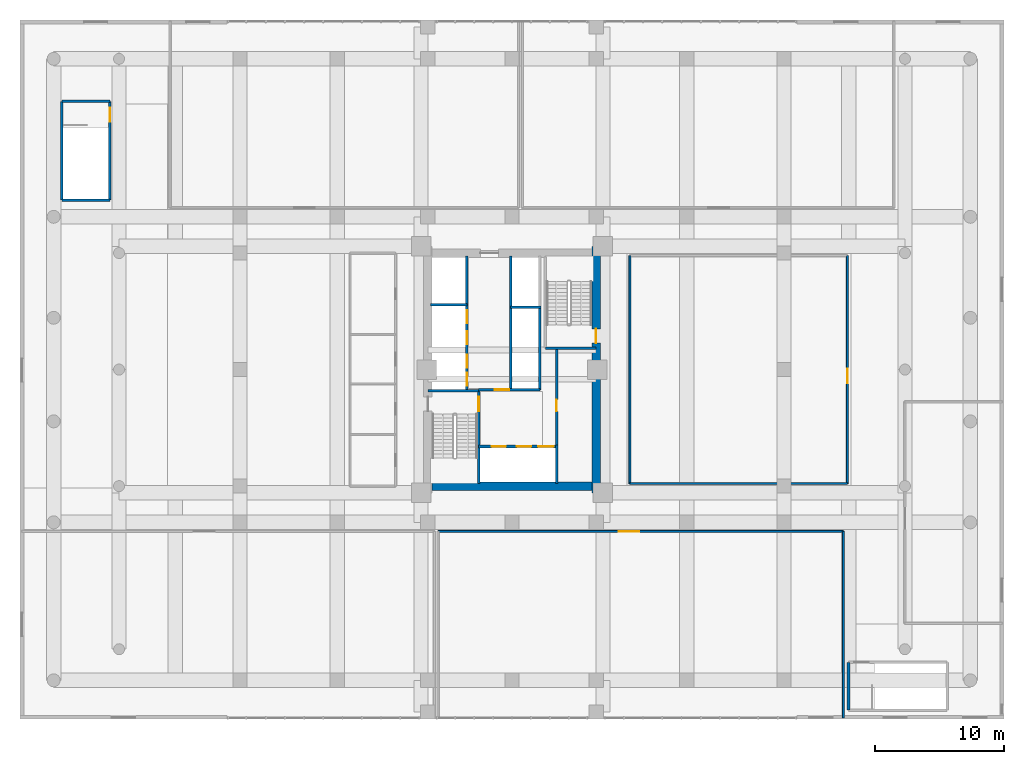
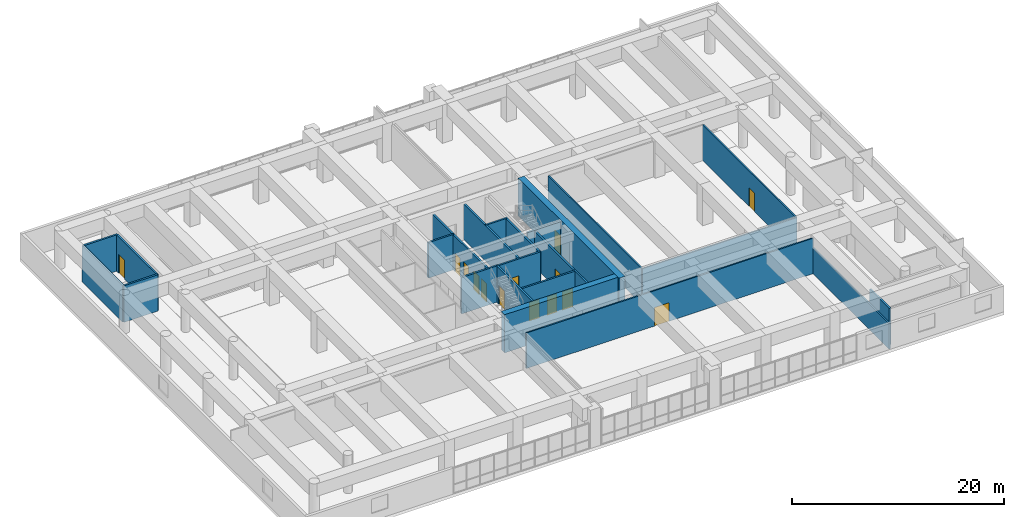
# One storey, part 19 of 28: 24 walls, 14 doors, 14 openings.
"""IFC4 building model written with IfcOpenShell, lengths in metres."""

from ifc_helpers import new_model, si_unit, direction, frame, frame_2d, origin, place, context, subcontext, project, spatial, rectangle, extrude, source, transform, mapped, material, layer, layer_set, type_object, element, fill, save


model = new_model("IFC4")

# Units and contexts
model_context = context("Model", 3, precision=1e-05, world=origin(), true_north=direction((0.0, 1.0)))
body_context = subcontext(model_context, "Body", "Model", "MODEL_VIEW")
ifc_project = project(units=[si_unit("LENGTHUNIT", "METRE"), si_unit("AREAUNIT", "SQUARE_METRE"), si_unit("VOLUMEUNIT", "CUBIC_METRE"), si_unit("PLANEANGLEUNIT", "RADIAN"), si_unit("MASSUNIT", "GRAM", prefix="KILO")], contexts=[model_context])

# Site, building, storey
site_placement = place(None, origin())
site = spatial("IfcSite", under=ifc_project, at=site_placement, CompositionType="ELEMENT")
building_placement = place(site_placement, origin())
building = spatial("IfcBuilding", under=site, at=building_placement, Name="Saelheon Loggia Tower", CompositionType="ELEMENT")
storey_placement = place(building_placement, frame((0.0, 0.0, 15.0)))
storey = spatial("IfcBuildingStorey", under=building, at=storey_placement, Name="L04", CompositionType="ELEMENT", Elevation=15.0)

# Wall, opening, door
ifc_material_1 = material(Name="Concrete C60/75", Category="concrete")
ifc_layer_1 = layer(ifc_material_1, 0.64990234375)
ifc_layer_set_1 = layer_set([ifc_layer_1], Name="Concrete C60/75")
wall_type_1 = type_object("IfcWallType", Name="Wall_CoreShear_650", PredefinedType="SHEAR", material=ifc_layer_set_1)
wall_1_placement = place(storey_placement, frame((44.5, 17.47998046875, 0.0), z_axis=(0.0, 0.0, 1.0), x_axis=(0.0, 1.0, 0.0)))
wall_1 = element("IfcWall", 1, at=wall_1_placement, inside=storey, type_object=wall_type_1, Name="L04 Core Shear Wall East", PredefinedType="SHEAR", context=body_context, shape_type="SweptSolid", body=[
    extrude(rectangle(XDim=19.0400390625, YDim=0.64990234375, at=frame_2d((9.52001953125, 0.0))), origin(), (0.0, 0.0, 1.0), 4.39990234375),
])
opening_1_placement = place(wall_1_placement, frame((12.670166015625, 0.0, 0.0), z_axis=(0.0, 0.0, 1.0), x_axis=(-1.0, 0.0, 0.0)))
opening_1 = element("IfcOpeningElement", 2, at=opening_1_placement, cuts=wall_1, Name="Opening D-FD2", PredefinedType="OPENING", context=body_context, shape_type="SweptSolid", body=[
    extrude(rectangle(XDim=1.10009765625, YDim=2.14990234375, at=frame_2d((0.550048828125, 1.074951171875))), frame((0.0, 0.3369140625, 0.0), z_axis=(0.0, -1.0, 0.0), x_axis=(1.0, 0.0, 0.0)), (0.0, 0.0, 1.0), 0.673828125),
])
ifc_material_2 = material(Name="Galvanised Steel Fire Door", Category="steel")
door_type_1 = type_object("IfcDoorType", Name="Door_Fire_FD60_1100", OperationType="NOTDEFINED", PredefinedType="DOOR", material=ifc_material_2)
shared_shape_1 = source(origin(), body_context, "Body", "SweptSolid", [
    extrude(rectangle(XDim=1.10009765625, YDim=2.14990234375, at=frame_2d((0.550048828125, 1.074951171875))), frame((0.0, 0.02490234375, 0.0), z_axis=(0.0, -1.0, 0.0), x_axis=(1.0, 0.0, 0.0)), (0.0, 0.0, 1.0), 0.050048828125),
])
door_1_placement = place(opening_1_placement, origin())
door_1 = element("IfcDoor", 3, at=door_1_placement, inside=storey, type_object=door_type_1, Name="L04 Stair ST2 Corridor Door", OperationType="SINGLE_SWING_RIGHT", OverallHeight=2.14990234375, OverallWidth=1.10009765625, PredefinedType="DOOR", context=body_context, shape_type="MappedRepresentation", body=[
    mapped(shared_shape_1, transform((0.0, 0.0, 0.0), scale=1.0)),
])
fill(opening_1, door_1)

# Wall
wall_2_placement = place(storey_placement, frame((31.824951171875, 18.0, 0.0), z_axis=(0.0, 0.0, 1.0), x_axis=(1.0, 0.0, 0.0)))
element("IfcWall", 4, at=wall_2_placement, inside=storey, type_object=wall_type_1, Name="L04 Core Shear Wall South", PredefinedType="SHEAR", context=body_context, shape_type="SweptSolid", body=[
    extrude(rectangle(XDim=12.35009765625, YDim=0.64990234375, at=frame_2d((6.175048828125, 0.0))), origin(), (0.0, 0.0, 1.0), 4.39990234375),
])

# Wall, opening, door
ifc_material_3 = material(Name="Lightweight Autoclaved Aerated Concrete Block and Acoustic Gypsum", Category="concrete")
ifc_layer_2 = layer(ifc_material_3, 0.14990234375)
ifc_layer_set_2 = layer_set([ifc_layer_2], Name="Lightweight Autoclaved Aerated Concrete Block and Acoustic Gypsum")
wall_type_2 = type_object("IfcWallType", Name="Wall_Part_150", PredefinedType="PARTITIONING", material=ifc_layer_set_2)
wall_3_placement = place(storey_placement, frame((32.300048828125, 14.5, 0.0), z_axis=(0.0, 0.0, 1.0), x_axis=(1.0, 0.0, 0.0)))
wall_3 = element("IfcWall", 5, at=wall_3_placement, inside=storey, type_object=wall_type_2, Name="PW-L04-SEM2-N", PredefinedType="PARTITIONING", context=body_context, shape_type="SweptSolid", body=[
    extrude(rectangle(XDim=31.300048828125, YDim=0.14990234375, at=frame_2d((15.64990234375, 0.0))), origin(), (0.0, 0.0, 1.0), 4.080078125),
])
opening_2_placement = place(wall_3_placement, frame((13.943603515625, 0.0, 0.0)))
opening_2 = element("IfcOpeningElement", 6, at=opening_2_placement, cuts=wall_3, Name="Opening D-DB1", PredefinedType="OPENING", context=body_context, shape_type="SweptSolid", body=[
    extrude(rectangle(XDim=1.60009765625, YDim=2.14990234375, at=frame_2d((0.800048828125, 1.074951171875))), frame((0.0, 0.0869140625, 0.0), z_axis=(0.0, -1.0, 0.0), x_axis=(1.0, 0.0, 0.0)), (0.0, 0.0, 1.0), 0.173828125),
])
ifc_material_4 = material(Name="Glazed Steel Seminar Double Door", Category="steel")
door_type_2 = type_object("IfcDoorType", Name="Door_Double_1600", OperationType="DOUBLE_SWING_LEFT", PredefinedType="DOOR", material=ifc_material_4)
shared_shape_2 = source(origin(), body_context, "Body", "SweptSolid", [
    extrude(rectangle(XDim=1.60009765625, YDim=2.14990234375, at=frame_2d((0.800048828125, 1.074951171875))), frame((0.0, 0.02490234375, 0.0), z_axis=(0.0, -1.0, 0.0), x_axis=(1.0, 0.0, 0.0)), (0.0, 0.0, 1.0), 0.050048828125),
])
door_2_placement = place(opening_2_placement, origin())
door_2 = element("IfcDoor", 7, at=door_2_placement, inside=storey, type_object=door_type_2, Name="L04 Community Health Seminar Hall B Door", OperationType="DOUBLE_SWING_LEFT", OverallHeight=2.14990234375, OverallWidth=1.60009765625, PredefinedType="DOOR", context=body_context, shape_type="MappedRepresentation", body=[
    mapped(shared_shape_2, transform((0.0, 0.0, 0.0), scale=1.0)),
])
fill(opening_2, door_2)

# Walls
wall_4_placement = place(storey_placement, frame((63.60009765625, 0.10009765625, 0.0), z_axis=(0.0, 0.0, 1.0), x_axis=(0.0, 1.0, 0.0)))
element("IfcWall", 8, at=wall_4_placement, inside=storey, type_object=wall_type_2, Name="PW-L04-SEM2-E", PredefinedType="PARTITIONING", context=body_context, shape_type="SweptSolid", body=[
    extrude(rectangle(XDim=14.39990234375, YDim=0.14990234375, at=frame_2d((7.199951171875, 0.0))), origin(), (0.0, 0.0, 1.0), 2.93994140625),
])
wall_5_placement = place(storey_placement, frame((47.10009765625, 18.199951171875, 0.0), z_axis=(0.0, 0.0, 1.0), x_axis=(1.0, 0.0, 0.0)))
element("IfcWall", 9, at=wall_5_placement, inside=storey, type_object=wall_type_2, Name="PW-L04-MECH4-S", PredefinedType="PARTITIONING", context=body_context, shape_type="SweptSolid", body=[
    extrude(rectangle(XDim=16.7998046875, YDim=0.14990234375, at=frame_2d((8.39990234375, 0.0))), origin(), (0.0, 0.0, 1.0), 4.080078125),
])
wall_6_placement = place(storey_placement, frame((47.10009765625, 18.199951171875, 0.0), z_axis=(0.0, 0.0, 1.0), x_axis=(0.0, 1.0, 0.0)))
element("IfcWall", 10, at=wall_6_placement, inside=storey, type_object=wall_type_2, Name="PW-L04-MECH4-W", PredefinedType="PARTITIONING", context=body_context, shape_type="SweptSolid", body=[
    extrude(rectangle(XDim=17.60009765625, YDim=0.14990234375, at=frame_2d((8.800048828125, 0.0))), origin(), (0.0, 0.0, 1.0), 4.080078125),
])

# Wall, opening, door
wall_7_placement = place(storey_placement, frame((63.89990234375, 18.199951171875, 0.0), z_axis=(0.0, 0.0, 1.0), x_axis=(0.0, 1.0, 0.0)))
wall_7 = element("IfcWall", 11, at=wall_7_placement, inside=storey, type_object=wall_type_2, Name="PW-L04-MECH4-E", PredefinedType="PARTITIONING", context=body_context, shape_type="SweptSolid", body=[
    extrude(rectangle(XDim=17.60009765625, YDim=0.14990234375, at=frame_2d((8.800048828125, 0.0))), origin(), (0.0, 0.0, 1.0), 4.080078125),
])
opening_3_placement = place(wall_7_placement, frame((7.756103515625, 0.0, 0.0)))
opening_3 = element("IfcOpeningElement", 12, at=opening_3_placement, cuts=wall_7, Name="Opening D-FD2", PredefinedType="OPENING", context=body_context, shape_type="SweptSolid", body=[
    extrude(rectangle(XDim=1.10009765625, YDim=2.14990234375, at=frame_2d((0.550048828125, 1.074951171875))), frame((0.0, 0.0869140625, 0.0), z_axis=(0.0, -1.0, 0.0), x_axis=(1.0, 0.0, 0.0)), (0.0, 0.0, 1.0), 0.173828125),
])
door_3_placement = place(opening_3_placement, origin())
door_3 = element("IfcDoor", 13, at=door_3_placement, inside=storey, type_object=door_type_1, Name="L04 Podium Transfer Level HVAC Plant Room Door", OperationType="SINGLE_SWING_LEFT", OverallHeight=2.14990234375, OverallWidth=1.10009765625, PredefinedType="DOOR", context=body_context, shape_type="MappedRepresentation", body=[
    mapped(shared_shape_1, transform((0.0, 0.0, 0.0), scale=1.0)),
])
fill(opening_3, door_3)

# Wall
ifc_material_5 = material(Name="Concrete C40/50", Category="concrete")
ifc_layer_3 = layer(ifc_material_5, 0.199951171875)
ifc_layer_set_3 = layer_set([ifc_layer_3], Name="Concrete C40/50")
wall_type_3 = type_object("IfcWallType", Name="Wall_Shaft_200", PredefinedType="PARTITIONING", material=ifc_layer_set_3)
wall_8_placement = place(storey_placement, frame((41.449951171875, 18.219970703125, 0.0), z_axis=(0.0, 0.0, 1.0), x_axis=(0.0, 1.0, 0.0)))
element("IfcWall", 14, at=wall_8_placement, inside=storey, type_object=wall_type_3, Name="CW-INT-L04-BOH-W0", PredefinedType="PARTITIONING", context=body_context, shape_type="SweptSolid", body=[
    extrude(rectangle(XDim=2.9599609375, YDim=0.199951171875, at=frame_2d((1.47998046875, 0.0))), origin(), (0.0, 0.0, 1.0), 4.080078125),
])

# Wall, opening, door
wall_9_placement = place(storey_placement, frame((41.449951171875, 21.179931640625, 0.0), z_axis=(0.0, 0.0, 1.0), x_axis=(0.0, 1.0, 0.0)))
wall_9 = element("IfcWall", 15, at=wall_9_placement, inside=storey, type_object=wall_type_3, Name="CW-INT-L04-BOH-W1", PredefinedType="PARTITIONING", context=body_context, shape_type="SweptSolid", body=[
    extrude(rectangle(XDim=7.420166015625, YDim=0.199951171875, at=frame_2d((3.7099609375, 0.0))), origin(), (0.0, 0.0, 1.0), 4.080078125),
])
opening_4_placement = place(wall_9_placement, frame((2.60009765625, 0.0, 0.0)))
opening_4 = element("IfcOpeningElement", 16, at=opening_4_placement, cuts=wall_9, Name="Opening D-RS1", PredefinedType="OPENING", context=body_context, shape_type="SweptSolid", body=[
    extrude(rectangle(XDim=0.89990234375, YDim=2.10009765625, at=frame_2d((0.449951171875, 1.050048828125))), frame((0.0, 0.112060546875, 0.0), z_axis=(0.0, -1.0, 0.0), x_axis=(1.0, 0.0, 0.0)), (0.0, 0.0, 1.0), 0.223876953125),
])
ifc_material_6 = material(Name="Galvanised Steel Riser Access Door", Category="steel")
door_type_3 = type_object("IfcDoorType", Name="Door_Riser_FD60", OperationType="NOTDEFINED", PredefinedType="DOOR", material=ifc_material_6)
shared_shape_3 = source(origin(), body_context, "Body", "SweptSolid", [
    extrude(rectangle(XDim=0.89990234375, YDim=2.10009765625, at=frame_2d((0.449951171875, 1.050048828125))), frame((0.0, 0.02490234375, 0.0), z_axis=(0.0, -1.0, 0.0), x_axis=(1.0, 0.0, 0.0)), (0.0, 0.0, 1.0), 0.050048828125),
])
door_4_placement = place(opening_4_placement, origin())
door_4 = element("IfcDoor", 17, at=door_4_placement, inside=storey, type_object=door_type_3, Name="L04 Core Service Store Door", OperationType="SINGLE_SWING_RIGHT", OverallHeight=2.10009765625, OverallWidth=0.89990234375, PredefinedType="DOOR", context=body_context, shape_type="MappedRepresentation", body=[
    mapped(shared_shape_3, transform((0.0, 0.0, 0.0), scale=1.0)),
])
fill(opening_4, door_4)

# Wall
wall_10_placement = place(storey_placement, frame((40.14990234375, 25.43994140625, 0.0), z_axis=(0.0, 0.0, 1.0), x_axis=(0.0, 1.0, 0.0)))
element("IfcWall", 18, at=wall_10_placement, inside=storey, type_object=wall_type_3, Name="L04 Core Service Passage West Wall", PredefinedType="PARTITIONING", context=body_context, shape_type="SweptSolid", body=[
    extrude(rectangle(XDim=6.360107421875, YDim=0.199951171875, at=frame_2d((3.18017578125, 0.0))), origin(), (0.0, 0.0, 1.0), 4.080078125),
])

# Wall, openings, doors
wall_11_placement = place(storey_placement, frame((35.429931640625, 21.06005859375, 0.0), z_axis=(0.0, 0.0, 1.0), x_axis=(1.0, 0.0, 0.0)))
wall_11 = element("IfcWall", 19, at=wall_11_placement, inside=storey, type_object=wall_type_3, Name="L04 Firefighting Lift Shaft Front Wall", PredefinedType="PARTITIONING", context=body_context, shape_type="SweptSolid", body=[
    extrude(rectangle(XDim=6.02001953125, YDim=0.199951171875, at=frame_2d((3.010009765625, 0.0))), origin(), (0.0, 0.0, 1.0), 4.080078125),
])
opening_5_placement = place(wall_11_placement, frame((1.0, 0.0, 0.0)))
opening_5 = element("IfcOpeningElement", 20, at=opening_5_placement, cuts=wall_11, Name="Opening LD2", PredefinedType="OPENING", context=body_context, shape_type="SweptSolid", body=[
    extrude(rectangle(XDim=1.10009765625, YDim=2.14990234375, at=frame_2d((0.550048828125, 1.074951171875))), frame((0.0, 0.112060546875, 0.0), z_axis=(0.0, -1.0, 0.0), x_axis=(1.0, 0.0, 0.0)), (0.0, 0.0, 1.0), 0.223876953125),
])
opening_6_placement = place(wall_11_placement, frame((2.949951171875, 0.0, 0.0)))
opening_6 = element("IfcOpeningElement", 21, at=opening_6_placement, cuts=wall_11, Name="Opening LD2", PredefinedType="OPENING", context=body_context, shape_type="SweptSolid", body=[
    extrude(rectangle(XDim=1.10009765625, YDim=2.14990234375, at=frame_2d((0.550048828125, 1.074951171875))), frame((0.0, 0.112060546875, 0.0), z_axis=(0.0, -1.0, 0.0), x_axis=(1.0, 0.0, 0.0)), (0.0, 0.0, 1.0), 0.223876953125),
])
opening_7_placement = place(wall_11_placement, frame((4.580078125, 0.0, 0.0)))
opening_7 = element("IfcOpeningElement", 22, at=opening_7_placement, cuts=wall_11, Name="Opening LD3", PredefinedType="OPENING", context=body_context, shape_type="SweptSolid", body=[
    extrude(rectangle(XDim=1.199951171875, YDim=2.14990234375, at=frame_2d((0.60009765625, 1.074951171875))), frame((0.0, 0.112060546875, 0.0), z_axis=(0.0, -1.0, 0.0), x_axis=(1.0, 0.0, 0.0)), (0.0, 0.0, 1.0), 0.223876953125),
])
ifc_material_7 = material(Name="Firefighting Stainless Steel 316 Landing Door", Category="steel")
door_type_4 = type_object("IfcDoorType", Name="Door_Lift_LD2", OperationType="DOUBLE_DOOR_SLIDING", PredefinedType="DOOR", material=ifc_material_7)
door_5_placement = place(opening_5_placement, origin())
door_5 = element("IfcDoor", 23, at=door_5_placement, inside=storey, type_object=door_type_4, Name="L04 FF1 Landing Door", OperationType="DOUBLE_DOOR_SLIDING", OverallHeight=2.14990234375, OverallWidth=1.10009765625, PredefinedType="DOOR", context=body_context, shape_type="MappedRepresentation", body=[
    mapped(shared_shape_1, transform((0.0, 0.0, 0.0), scale=1.0)),
])
fill(opening_5, door_5)
door_6_placement = place(opening_6_placement, origin())
door_6 = element("IfcDoor", 24, at=door_6_placement, inside=storey, type_object=door_type_4, Name="L04 FF2 Landing Door", OperationType="DOUBLE_DOOR_SLIDING", OverallHeight=2.14990234375, OverallWidth=1.10009765625, PredefinedType="DOOR", context=body_context, shape_type="MappedRepresentation", body=[
    mapped(shared_shape_1, transform((0.0, 0.0, 0.0), scale=1.0)),
])
fill(opening_6, door_6)
ifc_material_8 = material(Name="Stretcher Lift Stainless Steel 304 Landing Door", Category="steel")
door_type_5 = type_object("IfcDoorType", Name="Door_Lift_LD3", OperationType="DOUBLE_DOOR_SLIDING", PredefinedType="DOOR", material=ifc_material_8)
shared_shape_4 = source(origin(), body_context, "Body", "SweptSolid", [
    extrude(rectangle(XDim=1.199951171875, YDim=2.14990234375, at=frame_2d((0.60009765625, 1.074951171875))), frame((0.0, 0.02490234375, 0.0), z_axis=(0.0, -1.0, 0.0), x_axis=(1.0, 0.0, 0.0)), (0.0, 0.0, 1.0), 0.050048828125),
])
door_7_placement = place(opening_7_placement, origin())
door_7 = element("IfcDoor", 25, at=door_7_placement, inside=storey, type_object=door_type_5, Name="L04 SV1 Landing Door", OperationType="DOUBLE_DOOR_SLIDING", OverallHeight=2.14990234375, OverallWidth=1.199951171875, PredefinedType="DOOR", context=body_context, shape_type="MappedRepresentation", body=[
    mapped(shared_shape_4, transform((0.0, 0.0, 0.0), scale=1.0)),
])
fill(opening_7, door_7)

# Wall, opening, door
wall_12_placement = place(storey_placement, frame((35.429931640625, 25.43994140625, 0.0), z_axis=(0.0, 0.0, 1.0), x_axis=(1.0, 0.0, 0.0)))
wall_12 = element("IfcWall", 26, at=wall_12_placement, inside=storey, type_object=wall_type_3, Name="L04 Firefighting Lobby Compartment Wall", PredefinedType="PARTITIONING", context=body_context, shape_type="SweptSolid", body=[
    extrude(rectangle(XDim=4.719970703125, YDim=0.199951171875, at=frame_2d((2.35986328125, 0.0))), origin(), (0.0, 0.0, 1.0), 4.080078125),
])
opening_8_placement = place(wall_12_placement, frame((1.25, 0.0, 0.0)))
opening_8 = element("IfcOpeningElement", 27, at=opening_8_placement, cuts=wall_12, Name="Opening D-FD2", PredefinedType="OPENING", context=body_context, shape_type="SweptSolid", body=[
    extrude(rectangle(XDim=1.10009765625, YDim=2.14990234375, at=frame_2d((0.550048828125, 1.074951171875))), frame((0.0, 0.112060546875, 0.0), z_axis=(0.0, -1.0, 0.0), x_axis=(1.0, 0.0, 0.0)), (0.0, 0.0, 1.0), 0.223876953125),
])
door_8_placement = place(opening_8_placement, origin())
door_8 = element("IfcDoor", 28, at=door_8_placement, inside=storey, type_object=door_type_1, Name="L04 Firefighting Lobby Door", OperationType="SINGLE_SWING_LEFT", OverallHeight=2.14990234375, OverallWidth=1.10009765625, PredefinedType="DOOR", context=body_context, shape_type="MappedRepresentation", body=[
    mapped(shared_shape_1, transform((0.0, 0.0, 0.0), scale=1.0)),
])
fill(opening_8, door_8)

# Wall, openings, doors
wall_13_placement = place(storey_placement, frame((34.52001953125, 25.43994140625, 0.0), z_axis=(0.0, 0.0, 1.0), x_axis=(0.0, 1.0, 0.0)))
wall_13 = element("IfcWall", 29, at=wall_13_placement, inside=storey, type_object=wall_type_3, Name="L04 West Passenger Lift Bank Wall", PredefinedType="PARTITIONING", context=body_context, shape_type="SweptSolid", body=[
    extrude(rectangle(XDim=10.340087890625, YDim=0.199951171875, at=frame_2d((5.169921875, 0.0))), origin(), (0.0, 0.0, 1.0), 4.080078125),
])
opening_9_placement = place(wall_13_placement, frame((0.320068359375, 0.0, 0.0)))
opening_9 = element("IfcOpeningElement", 30, at=opening_9_placement, cuts=wall_13, Name="Opening LD1", PredefinedType="OPENING", context=body_context, shape_type="SweptSolid", body=[
    extrude(rectangle(XDim=1.0, YDim=2.14990234375, at=frame_2d((0.5, 1.074951171875))), frame((0.0, 0.112060546875, 0.0), z_axis=(0.0, -1.0, 0.0), x_axis=(1.0, 0.0, 0.0)), (0.0, 0.0, 1.0), 0.223876953125),
])
opening_10_placement = place(wall_13_placement, frame((1.7099609375, 0.0, 0.0)))
opening_10 = element("IfcOpeningElement", 31, at=opening_10_placement, cuts=wall_13, Name="Opening LD1", PredefinedType="OPENING", context=body_context, shape_type="SweptSolid", body=[
    extrude(rectangle(XDim=1.0, YDim=2.14990234375, at=frame_2d((0.5, 1.074951171875))), frame((0.0, 0.112060546875, 0.0), z_axis=(0.0, -1.0, 0.0), x_axis=(1.0, 0.0, 0.0)), (0.0, 0.0, 1.0), 0.223876953125),
])
opening_11_placement = place(wall_13_placement, frame((3.534912109375, 0.0, 0.0)))
opening_11 = element("IfcOpeningElement", 32, at=opening_11_placement, cuts=wall_13, Name="Opening LD1", PredefinedType="OPENING", context=body_context, shape_type="SweptSolid", body=[
    extrude(rectangle(XDim=1.0, YDim=2.14990234375, at=frame_2d((0.5, 1.074951171875))), frame((0.0, 0.112060546875, 0.0), z_axis=(0.0, -1.0, 0.0), x_axis=(1.0, 0.0, 0.0)), (0.0, 0.0, 1.0), 0.223876953125),
])
opening_12_placement = place(wall_13_placement, frame((5.135009765625, 0.0, 0.0)))
opening_12 = element("IfcOpeningElement", 33, at=opening_12_placement, cuts=wall_13, Name="Opening LD1", PredefinedType="OPENING", context=body_context, shape_type="SweptSolid", body=[
    extrude(rectangle(XDim=1.0, YDim=2.14990234375, at=frame_2d((0.5, 1.074951171875))), frame((0.0, 0.112060546875, 0.0), z_axis=(0.0, -1.0, 0.0), x_axis=(1.0, 0.0, 0.0)), (0.0, 0.0, 1.0), 0.223876953125),
])
ifc_material_9 = material(Name="Brushed Stainless Steel 304 Landing Door", Category="steel")
door_type_6 = type_object("IfcDoorType", Name="Door_Lift_LD1", OperationType="DOUBLE_DOOR_SLIDING", PredefinedType="DOOR", material=ifc_material_9)
shared_shape_5 = source(origin(), body_context, "Body", "SweptSolid", [
    extrude(rectangle(XDim=1.0, YDim=2.14990234375, at=frame_2d((0.5, 1.074951171875))), frame((0.0, 0.02490234375, 0.0), z_axis=(0.0, -1.0, 0.0), x_axis=(1.0, 0.0, 0.0)), (0.0, 0.0, 1.0), 0.050048828125),
])
door_9_placement = place(opening_9_placement, origin())
door_9 = element("IfcDoor", 34, at=door_9_placement, inside=storey, type_object=door_type_6, Name="L04 PL1 Landing Door", OperationType="DOUBLE_DOOR_SLIDING", OverallHeight=2.14990234375, OverallWidth=1.0, PredefinedType="DOOR", context=body_context, shape_type="MappedRepresentation", body=[
    mapped(shared_shape_5, transform((0.0, 0.0, 0.0), scale=1.0)),
])
fill(opening_9, door_9)
door_10_placement = place(opening_10_placement, origin())
door_10 = element("IfcDoor", 35, at=door_10_placement, inside=storey, type_object=door_type_6, Name="L04 PL2 Landing Door", OperationType="DOUBLE_DOOR_SLIDING", OverallHeight=2.14990234375, OverallWidth=1.0, PredefinedType="DOOR", context=body_context, shape_type="MappedRepresentation", body=[
    mapped(shared_shape_5, transform((0.0, 0.0, 0.0), scale=1.0)),
])
fill(opening_10, door_10)
door_11_placement = place(opening_11_placement, origin())
door_11 = element("IfcDoor", 36, at=door_11_placement, inside=storey, type_object=door_type_6, Name="L04 PL3 Landing Door", OperationType="DOUBLE_DOOR_SLIDING", OverallHeight=2.14990234375, OverallWidth=1.0, PredefinedType="DOOR", context=body_context, shape_type="MappedRepresentation", body=[
    mapped(shared_shape_5, transform((0.0, 0.0, 0.0), scale=1.0)),
])
fill(opening_11, door_11)
door_12_placement = place(opening_12_placement, origin())
door_12 = element("IfcDoor", 37, at=door_12_placement, inside=storey, type_object=door_type_6, Name="L04 PL4 Landing Door", OperationType="DOUBLE_DOOR_SLIDING", OverallHeight=2.14990234375, OverallWidth=1.0, PredefinedType="DOOR", context=body_context, shape_type="MappedRepresentation", body=[
    mapped(shared_shape_5, transform((0.0, 0.0, 0.0), scale=1.0)),
])
fill(opening_12, door_12)

# Walls
wall_14_placement = place(storey_placement, frame((31.719970703125, 32.02001953125, 0.0), z_axis=(0.0, 0.0, 1.0), x_axis=(1.0, 0.0, 0.0)))
element("IfcWall", 38, at=wall_14_placement, inside=storey, type_object=wall_type_3, Name="L04 West High-Rise Shaft Divider", PredefinedType="PARTITIONING", context=body_context, shape_type="SweptSolid", body=[
    extrude(rectangle(XDim=2.800048828125, YDim=0.199951171875, at=frame_2d((1.39990234375, 0.0))), origin(), (0.0, 0.0, 1.0), 4.080078125),
])
wall_15_placement = place(storey_placement, frame((37.89990234375, 25.43994140625, 0.0), z_axis=(0.0, 0.0, 1.0), x_axis=(0.0, 1.0, 0.0)))
element("IfcWall", 39, at=wall_15_placement, inside=storey, type_object=wall_type_3, Name="L04 East Passenger Lift Bank Wall", PredefinedType="PARTITIONING", context=body_context, shape_type="SweptSolid", body=[
    extrude(rectangle(XDim=10.340087890625, YDim=0.199951171875, at=frame_2d((5.169921875, 0.0))), origin(), (0.0, 0.0, 1.0), 4.080078125),
])
wall_16_placement = place(storey_placement, frame((37.89990234375, 31.800048828125, 0.0), z_axis=(0.0, 0.0, 1.0), x_axis=(1.0, 0.0, 0.0)))
element("IfcWall", 40, at=wall_16_placement, inside=storey, type_object=wall_type_3, Name="L04 East High-Rise Shaft Divider", PredefinedType="PARTITIONING", context=body_context, shape_type="SweptSolid", body=[
    extrude(rectangle(XDim=2.35009765625, YDim=0.199951171875, at=frame_2d((1.175048828125, 0.0))), origin(), (0.0, 0.0, 1.0), 4.080078125),
])

# Wall, opening, door
ifc_material_10 = material(Name="Concrete C45/55", Category="concrete")
ifc_layer_4 = layer(ifc_material_10, 0.199951171875)
ifc_layer_set_4 = layer_set([ifc_layer_4], Name="Concrete C45/55")
wall_type_4 = type_object("IfcWallType", Name="Wall_StairShaft_RC200", PredefinedType="SOLIDWALL", material=ifc_layer_set_4)
wall_17_placement = place(storey_placement, frame((35.429931640625, 18.219970703125, 0.0), z_axis=(0.0, 0.0, 1.0), x_axis=(0.0, 1.0, 0.0)))
wall_17 = element("IfcWall", 41, at=wall_17_placement, inside=storey, type_object=wall_type_4, Name="L04 Stair ST1 Shaft Wall", PredefinedType="SOLIDWALL", context=body_context, shape_type="SweptSolid", body=[
    extrude(rectangle(XDim=7.219970703125, YDim=0.199951171875, at=frame_2d((3.60986328125, 0.0))), origin(), (0.0, 0.0, 1.0), 4.18994140625),
])
opening_13_placement = place(wall_17_placement, frame((6.68017578125, 0.0, 0.0), z_axis=(0.0, 0.0, 1.0), x_axis=(-1.0, 0.0, 0.0)))
opening_13 = element("IfcOpeningElement", 42, at=opening_13_placement, cuts=wall_17, Name="Opening D-FD2", PredefinedType="OPENING", context=body_context, shape_type="SweptSolid", body=[
    extrude(rectangle(XDim=1.10009765625, YDim=2.14990234375, at=frame_2d((0.550048828125, 1.074951171875))), frame((0.0, 0.112060546875, 0.0), z_axis=(0.0, -1.0, 0.0), x_axis=(1.0, 0.0, 0.0)), (0.0, 0.0, 1.0), 0.223876953125),
])
door_13_placement = place(opening_13_placement, origin())
door_13 = element("IfcDoor", 43, at=door_13_placement, inside=storey, type_object=door_type_1, Name="L04 Stair ST1 Lobby Door", OperationType="SINGLE_SWING_RIGHT", OverallHeight=2.14990234375, OverallWidth=1.10009765625, PredefinedType="DOOR", context=body_context, shape_type="MappedRepresentation", body=[
    mapped(shared_shape_1, transform((0.0, 0.0, 0.0), scale=1.0)),
])
fill(opening_13, door_13)

# Walls
for number, where, z_axis, x_axis, name in (
    (44, (31.5, 25.35009765625, 0.0), (0.0, 0.0, 1.0), (1.0, 0.0, 0.0), "L04 Stair ST1 North Wall"),
    (45, (40.570068359375, 28.64990234375, 0.0), (0.0, 0.0, 1.0), (1.0, 0.0, 0.0), "L04 Stair ST2 South Wall"),
):
    element("IfcWall", number, at=place(storey_placement, frame(where, z_axis=z_axis, x_axis=x_axis)), inside=storey, type_object=wall_type_4, Name=name, PredefinedType="SOLIDWALL", context=body_context, shape_type="SweptSolid", body=[
        extrude(rectangle(XDim=3.929931640625, YDim=0.199951171875, at=frame_2d((1.96484375, 0.0))), origin(), (0.0, 0.0, 1.0), 4.18994140625),
    ])
wall_18_placement = place(storey_placement, frame((3.239990234375, 40.090087890625, 0.0), z_axis=(0.0, 0.0, 1.0), x_axis=(0.0, 1.0, 0.0)))
element("IfcWall", 46, at=wall_18_placement, inside=storey, type_object=wall_type_4, Name="L04 ST3 Shaft West Wall", PredefinedType="SOLIDWALL", context=body_context, shape_type="SweptSolid", body=[
    extrude(rectangle(XDim=7.619873046875, YDim=0.199951171875, at=frame_2d((3.81005859375, 0.0))), origin(), (0.0, 0.0, 1.0), 4.18994140625),
])

# Wall, opening, door
wall_19_placement = place(storey_placement, frame((6.93994140625, 40.090087890625, 0.0), z_axis=(0.0, 0.0, 1.0), x_axis=(0.0, 1.0, 0.0)))
wall_19 = element("IfcWall", 47, at=wall_19_placement, inside=storey, type_object=wall_type_4, Name="L04 ST3 Shaft East Wall", PredefinedType="SOLIDWALL", context=body_context, shape_type="SweptSolid", body=[
    extrude(rectangle(XDim=7.619873046875, YDim=0.199951171875, at=frame_2d((3.81005859375, 0.0))), origin(), (0.0, 0.0, 1.0), 4.18994140625),
])
opening_14_placement = place(wall_19_placement, frame((7.150146484375, 0.0, 0.0), z_axis=(0.0, 0.0, 1.0), x_axis=(-1.0, 0.0, 0.0)))
opening_14 = element("IfcOpeningElement", 48, at=opening_14_placement, cuts=wall_19, Name="Opening D-FD2", PredefinedType="OPENING", context=body_context, shape_type="SweptSolid", body=[
    extrude(rectangle(XDim=1.10009765625, YDim=2.14990234375, at=frame_2d((0.550048828125, 1.074951171875))), frame((0.0, 0.112060546875, 0.0), z_axis=(0.0, -1.0, 0.0), x_axis=(1.0, 0.0, 0.0)), (0.0, 0.0, 1.0), 0.223876953125),
])
door_14_placement = place(opening_14_placement, origin())
door_14 = element("IfcDoor", 49, at=door_14_placement, inside=storey, type_object=door_type_1, Name="L04 Escape Stair ST3 Door", OperationType="SINGLE_SWING_LEFT", OverallHeight=2.14990234375, OverallWidth=1.10009765625, PredefinedType="DOOR", context=body_context, shape_type="MappedRepresentation", body=[
    mapped(shared_shape_1, transform((0.0, 0.0, 0.0), scale=1.0)),
])
fill(opening_14, door_14)

# Walls
for number, where, z_axis, x_axis, name in (
    (50, (3.239990234375, 40.090087890625, 0.0), (0.0, 0.0, 1.0), (1.0, 0.0, 0.0), "L04 ST3 Shaft South Wall"),
    (51, (3.239990234375, 47.7099609375, 0.0), (0.0, 0.0, 1.0), (1.0, 0.0, 0.0), "L04 ST3 Shaft North Wall"),
    (52, (63.989990234375, 0.68994140625, 0.0), (0.0, 0.0, 1.0), (0.0, 1.0, 0.0), "L04 ST4 Shaft West Wall"),
):
    element("IfcWall", number, at=place(storey_placement, frame(where, z_axis=z_axis, x_axis=x_axis)), inside=storey, type_object=wall_type_4, Name=name, PredefinedType="SOLIDWALL", context=body_context, shape_type="SweptSolid", body=[
        extrude(rectangle(XDim=3.699951171875, YDim=0.199951171875, at=frame_2d((1.85009765625, 0.0))), origin(), (0.0, 0.0, 1.0), 4.18994140625),
    ])

save(model, "model.ifc")
